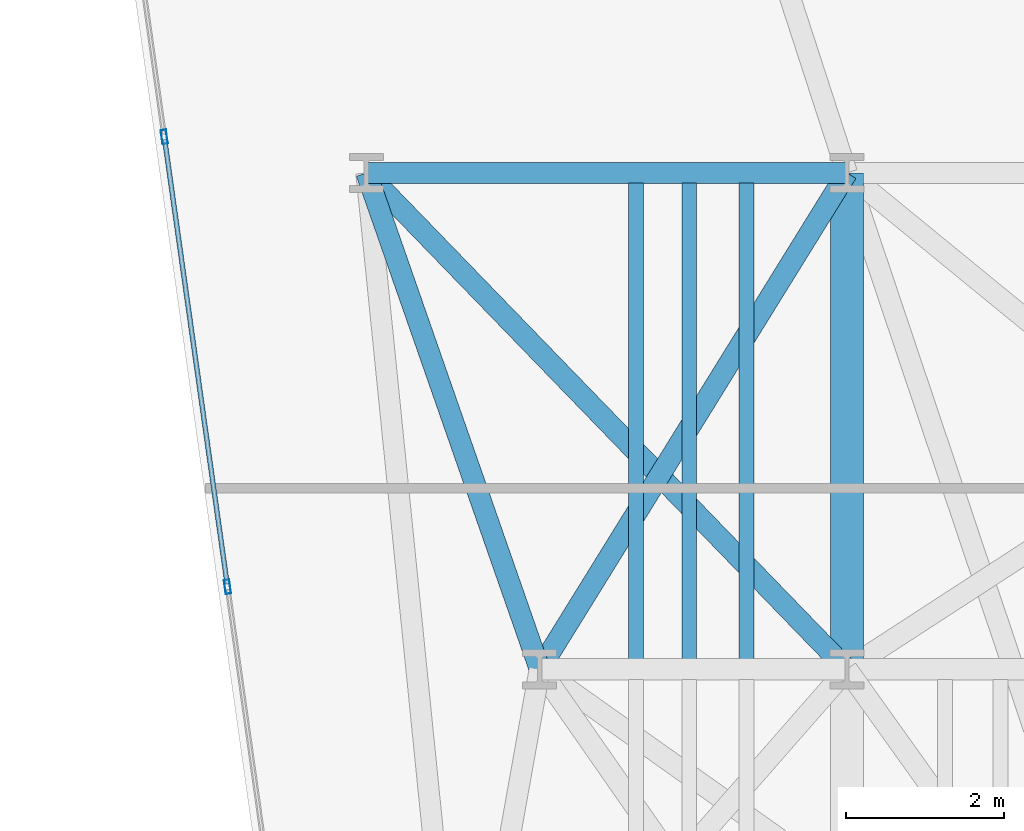
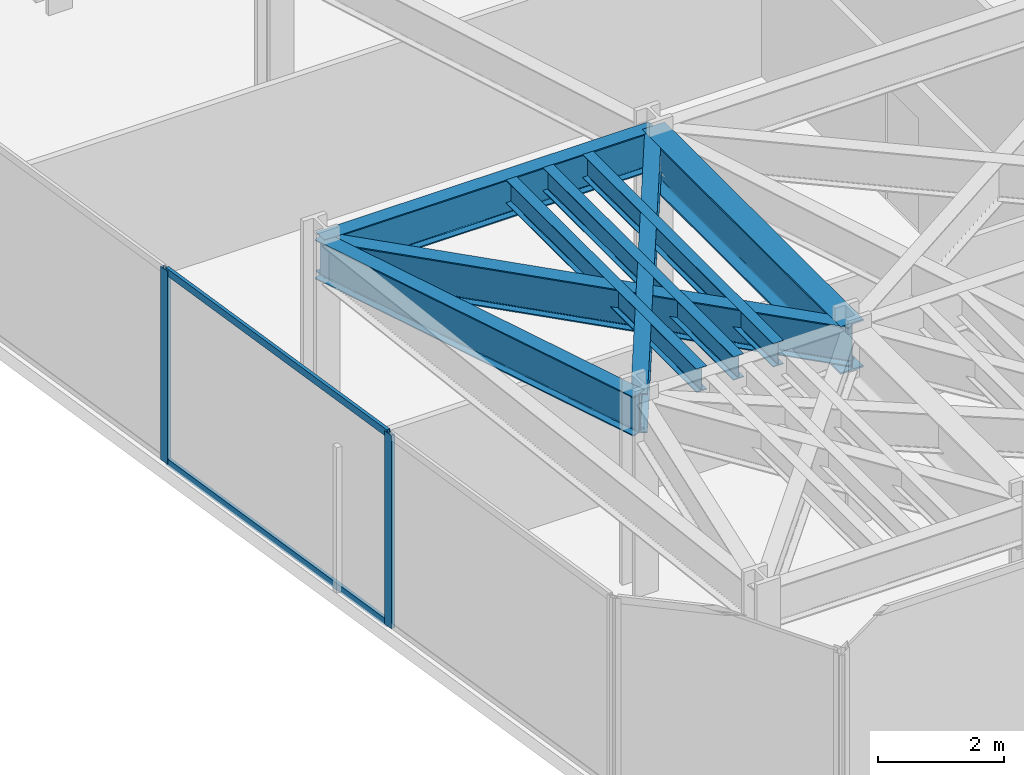
# One storey, part 4 of 24: 8 beams, 4 members, 1 element without a shape of its own.
"""IFC4 building model written with IfcOpenShell, lengths in metres."""

from ifc_helpers import new_model, si_unit, direction, frame, origin, origin_2d, place, context, subcontext, project, spatial, hollow_rectangle, i_section, extrude, material, layer, layer_set, material_profile, profile_set, type_object, element, aggregate, save


model = new_model("IFC4")

# Units and contexts
model_context = context("Model", 3, precision=1e-05, world=origin(), true_north=direction((0.0, 1.0)))
body_context = subcontext(model_context, "Body", "Model", "MODEL_VIEW")
ifc_project = project(units=[si_unit("LENGTHUNIT", "METRE"), si_unit("AREAUNIT", "SQUARE_METRE"), si_unit("VOLUMEUNIT", "CUBIC_METRE"), si_unit("PLANEANGLEUNIT", "RADIAN"), si_unit("MASSUNIT", "GRAM", prefix="KILO")], contexts=[model_context])

# Site, building, storey
site_placement = place(None, origin())
site = spatial("IfcSite", under=ifc_project, at=site_placement, CompositionType="ELEMENT")
building_placement = place(site_placement, origin())
building = spatial("IfcBuilding", under=site, at=building_placement, Name="Kravanh Interchange Tower", CompositionType="ELEMENT")
storey_placement = place(building_placement, frame((0.0, 0.0, 77.5)))
storey = spatial("IfcBuildingStorey", under=building, at=storey_placement, Name="L18", CompositionType="ELEMENT", Elevation=77.5)

# Curtain wall, members
ifc_material_1 = material(Name="Anodised Bronze Aluminium", Category="aluminium")
ifc_layer = layer(ifc_material_1, 0.179931640625)
ifc_layer_set = layer_set([ifc_layer], Name="Unitised Curtain Wall System CW-Z1 Lower Office")
curtain_wall_type = type_object("IfcCurtainWallType", Name="Unitised Curtain Wall System CW-Z1 Lower Office", PredefinedType="NOTDEFINED", material=ifc_layer_set)
curtain_wall_placement = place(storey_placement, origin())
curtain_wall = element("IfcCurtainWall", 1, at=curtain_wall_placement, inside=storey, type_object=curtain_wall_type, Name="L18 Unitised Curtain Wall CW-L18-01", PredefinedType="NOTDEFINED")
ifc_material_2 = material(Name="Anodised Bronze Aluminium", Category="aluminium")
ifc_material_profile_1 = material_profile(ifc_material_2, hollow_rectangle(XDim=0.070068359375, YDim=0.179931640625, WallThickness=0.00390625, at=origin_2d()), Name="ALU70X180X4")
ifc_profile_set_1 = profile_set([ifc_material_profile_1], Name="Anodised Bronze Aluminium")
member_type_1 = type_object("IfcMemberType", Name="Curtain Wall Mullion ALU70X180X4 Bronze", PredefinedType="MULLION", material=ifc_profile_set_1)
member_1_placement = place(storey_placement, frame((9.6376953125, 9.247314453125, 0.0), z_axis=(0.0, 0.0, 1.0), x_axis=(-0.990267585682, -0.139176538065, 0.0)))
member_1 = element("IfcMember", 2, at=member_1_placement, type_object=member_type_1, Name="CW-Z1 mullion 2", PredefinedType="MULLION", context=body_context, shape_type="SweptSolid", body=[
    extrude(hollow_rectangle(XDim=0.070068359375, YDim=0.179931640625, WallThickness=0.00390625, at=origin_2d()), origin(), (0.0, 0.0, 1.0), 3.739990234375),
])
member_2_placement = place(storey_placement, frame((8.835205078125, 14.957763671875, 0.0), z_axis=(0.0, 0.0, 1.0), x_axis=(-0.990267585682, -0.139176538065, 0.0)))
member_2 = element("IfcMember", 3, at=member_2_placement, type_object=member_type_1, Name="CW-Z1 mullion 3", PredefinedType="MULLION", context=body_context, shape_type="SweptSolid", body=[
    extrude(hollow_rectangle(XDim=0.070068359375, YDim=0.179931640625, WallThickness=0.00390625, at=origin_2d()), origin(), (0.0, 0.0, 1.0), 3.739990234375),
])
ifc_material_3 = material(Name="Anodised Bronze Aluminium", Category="aluminium")
ifc_material_profile_2 = material_profile(ifc_material_3, hollow_rectangle(XDim=0.06005859375, YDim=0.139892578125, WallThickness=0.00390625, at=origin_2d()), Name="ALU60X140X4")
ifc_profile_set_2 = profile_set([ifc_material_profile_2], Name="Anodised Bronze Aluminium")
member_type_2 = type_object("IfcMemberType", Name="Curtain Wall Transom ALU60X140X4 Bronze", PredefinedType="USERDEFINED", material=ifc_profile_set_2)
member_3_placement = place(storey_placement, frame((9.633056640625, 9.281982421875, 0.030029296875), z_axis=(-0.139200984921, 0.990264149506, 0.0), x_axis=(-0.990264149506, -0.139200984921, 0.0)))
member_3 = element("IfcMember", 4, at=member_3_placement, type_object=member_type_2, Name="CW-Z1 transom 2.1", ObjectType="TRANSOM", PredefinedType="USERDEFINED", context=body_context, shape_type="SweptSolid", body=[
    extrude(hollow_rectangle(XDim=0.06005859375, YDim=0.139892578125, WallThickness=0.00390625, at=origin_2d()), origin(), (0.0, 0.0, 1.0), 5.696533203125),
])
member_4_placement = place(storey_placement, frame((9.633056640625, 9.281982421875, 3.7099609375), z_axis=(-0.139200984921, 0.990264149506, 0.0), x_axis=(-0.990264149506, -0.139200984921, 0.0)))
member_4 = element("IfcMember", 5, at=member_4_placement, type_object=member_type_2, Name="CW-Z1 transom 2.2", ObjectType="TRANSOM", PredefinedType="USERDEFINED", context=body_context, shape_type="SweptSolid", body=[
    extrude(hollow_rectangle(XDim=0.06005859375, YDim=0.139892578125, WallThickness=0.00390625, at=origin_2d()), origin(), (0.0, 0.0, 1.0), 5.696533203125),
])
aggregate(curtain_wall, [member_1, member_2, member_3, member_4])

# Beams
ifc_material_4 = material(Name="Structural Steel S355", Category="steel")
ifc_material_profile_3 = material_profile(ifc_material_4, i_section(OverallWidth=0.41796875, OverallDepth=0.927001953125, WebThickness=0.019287109375, FlangeThickness=0.031982421875, FilletRadius=0.028076171875, at=origin_2d()), Name="W36X231")
ifc_profile_set_3 = profile_set([ifc_material_profile_3], Name="Structural Steel S355")
beam_type_1 = type_object("IfcBeamType", Name="Floor Beam W36X231 Structural Steel S355", PredefinedType="BEAM", material=ifc_profile_set_3)
beam_1_placement = place(storey_placement, frame((17.5, 8.199951171875, 3.276611328125), z_axis=(0.0, 1.0, 0.0), x_axis=(-1.0, 0.0, 0.0)))
element("IfcBeam", 6, at=beam_1_placement, inside=storey, type_object=beam_type_1, Name="L18 Primary Floor Girder 136", PredefinedType="BEAM", context=body_context, shape_type="SweptSolid", body=[
    extrude(i_section(OverallWidth=0.41796875, OverallDepth=0.927001953125, WebThickness=0.019287109375, FlangeThickness=0.031982421875, FilletRadius=0.028076171875, at=origin_2d()), origin(), (0.0, 0.0, 1.0), 6.300048828125),
])
ifc_material_5 = material(Name="Structural Steel S355", Category="steel")
ifc_material_profile_4 = material_profile(ifc_material_5, i_section(OverallWidth=0.18994140625, OverallDepth=0.45703125, WebThickness=0.009033203125, FlangeThickness=0.014404296875, FilletRadius=0.01806640625, at=origin_2d()), Name="W18X50")
ifc_profile_set_4 = profile_set([ifc_material_profile_4], Name="Structural Steel S355")
beam_type_2 = type_object("IfcBeamType", Name="Floor Joist W18X50 Structural Steel S355", PredefinedType="JOIST", material=ifc_profile_set_4)
for number, where, z_axis, x_axis, name in (
    (7, (14.822021484375, 8.32861328125, 3.511474609375), (0.0, 1.0, 0.0), (-1.0, 0.0, 0.0), "L18 Secondary Floor Joist 10"),
    (8, (15.498046875, 8.32861328125, 3.511474609375), (0.0, 1.0, 0.0), (-1.0, 0.0, 0.0), "L18 Secondary Floor Joist 11"),
    (9, (16.22607421875, 8.32861328125, 3.511474609375), (0.0, 1.0, 0.0), (-1.0, 0.0, 0.0), "L18 Secondary Floor Joist 12"),
):
    element("IfcBeam", number, at=place(storey_placement, frame(where, z_axis=z_axis, x_axis=x_axis)), inside=storey, type_object=beam_type_2, Name=name, PredefinedType="JOIST", context=body_context, shape_type="SweptSolid", body=[
        extrude(i_section(OverallWidth=0.18994140625, OverallDepth=0.45703125, WebThickness=0.009033203125, FlangeThickness=0.014404296875, FilletRadius=0.01806640625, at=origin_2d()), origin(), (0.0, 0.0, 1.0), 6.04296875),
    ])
ifc_material_6 = material(Name="Structural Steel S355", Category="steel")
ifc_material_profile_5 = material_profile(ifc_material_6, i_section(OverallWidth=0.26708984375, OverallDepth=0.761962890625, WebThickness=0.014404296875, FlangeThickness=0.021484375, FilletRadius=0.02490234375, at=origin_2d()), Name="W30X116")
ifc_profile_set_5 = profile_set([ifc_material_profile_5], Name="Structural Steel S355")
beam_type_3 = type_object("IfcBeamType", Name="Floor Spandrel W30X116 Structural Steel S355", PredefinedType="SPANDREL", material=ifc_profile_set_5)
beam_2_placement = place(storey_placement, frame((13.60009765625, 8.199951171875, 3.35888671875), z_axis=(-0.329706642337, 0.944083433812, 0.0), x_axis=(-0.944083433812, -0.329706642337, 0.0)))
element("IfcBeam", 10, at=beam_2_placement, inside=storey, type_object=beam_type_3, Name="L18 Perimeter Spandrel 134", PredefinedType="SPANDREL", context=body_context, shape_type="SweptSolid", body=[
    extrude(i_section(OverallWidth=0.26708984375, OverallDepth=0.761962890625, WebThickness=0.014404296875, FlangeThickness=0.021484375, FilletRadius=0.02490234375, at=origin_2d()), origin(), (0.0, 0.0, 1.0), 6.673095703125),
])
beam_3_placement = place(storey_placement, frame((13.60009765625, 8.199951171875, 3.35888671875), z_axis=(0.5263421368, 0.850272870923, 0.0), x_axis=(-0.850272870923, 0.5263421368, 0.0)))
element("IfcBeam", 11, at=beam_3_placement, inside=storey, type_object=beam_type_3, Name="L18 Perimeter Spandrel 135", PredefinedType="SPANDREL", context=body_context, shape_type="SweptSolid", body=[
    extrude(i_section(OverallWidth=0.26708984375, OverallDepth=0.761962890625, WebThickness=0.014404296875, FlangeThickness=0.021484375, FilletRadius=0.02490234375, at=origin_2d()), origin(), (0.0, 0.0, 1.0), 7.409423828125),
])
beam_4_placement = place(storey_placement, frame((17.5, 8.199951171875, 3.35888671875), z_axis=(-0.695614323867, 0.718415417729, 0.0), x_axis=(-0.718415417729, -0.695614323867, 0.0)))
element("IfcBeam", 12, at=beam_4_placement, inside=storey, type_object=beam_type_3, Name="L18 Perimeter Spandrel 138", PredefinedType="SPANDREL", context=body_context, shape_type="SweptSolid", body=[
    extrude(i_section(OverallWidth=0.26708984375, OverallDepth=0.761962890625, WebThickness=0.014404296875, FlangeThickness=0.021484375, FilletRadius=0.02490234375, at=origin_2d()), origin(), (0.0, 0.0, 1.0), 8.769287109375),
])
beam_5_placement = place(storey_placement, frame((11.39990234375, 14.5, 3.35888671875), z_axis=(1.0, 0.0, 0.0), x_axis=(0.0, 1.0, 0.0)))
element("IfcBeam", 13, at=beam_5_placement, inside=storey, type_object=beam_type_3, Name="L18 Perimeter Spandrel 143", PredefinedType="SPANDREL", context=body_context, shape_type="SweptSolid", body=[
    extrude(i_section(OverallWidth=0.26708984375, OverallDepth=0.761962890625, WebThickness=0.014404296875, FlangeThickness=0.021484375, FilletRadius=0.02490234375, at=origin_2d()), origin(), (0.0, 0.0, 1.0), 6.10009765625),
])

save(model, "model.ifc")
